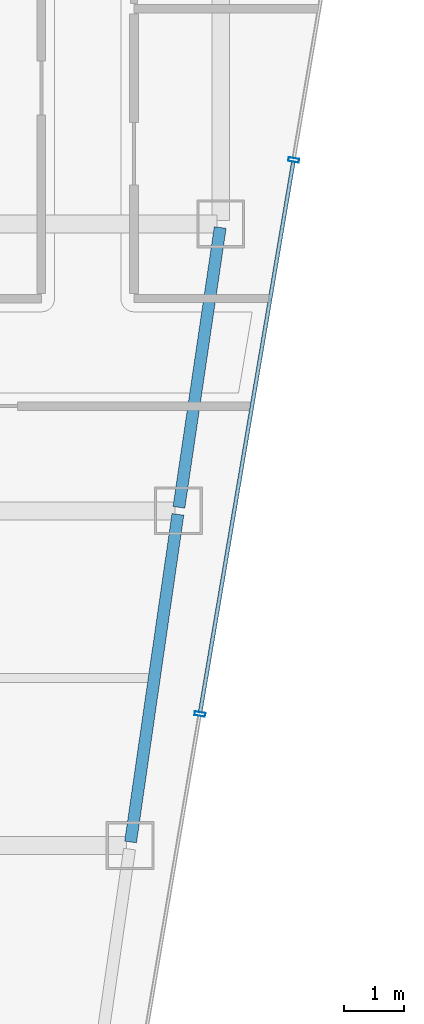
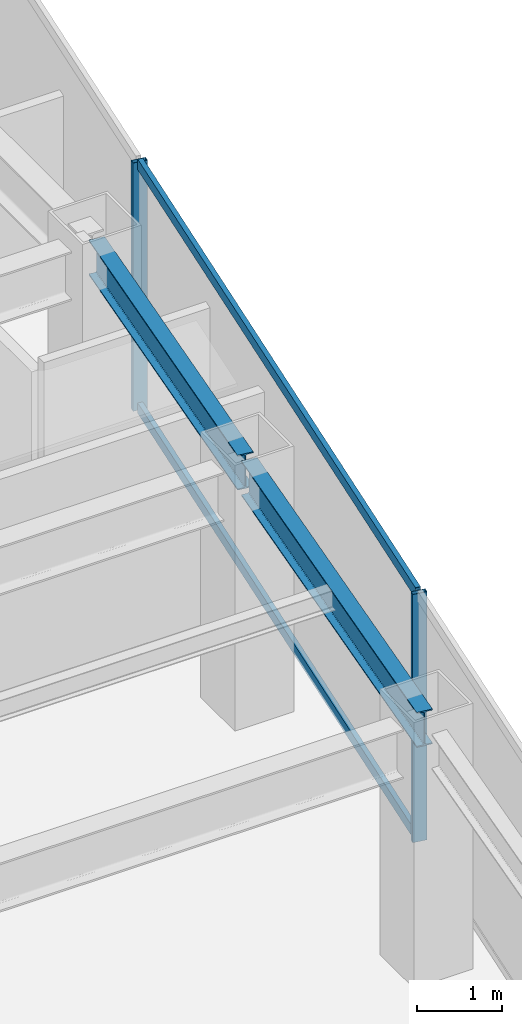
# One storey, part 22 of 36: 4 members, 2 beams, 1 element without a shape of its own.
"""IFC4 building model written with IfcOpenShell, lengths in metres."""

from ifc_helpers import new_model, si_unit, direction, frame, origin, origin_2d, place, context, subcontext, project, spatial, hollow_rectangle, i_section, extrude, material, material_profile, profile_set, type_object, element, aggregate, save


model = new_model("IFC4")

# Units and contexts
model_context = context("Model", 3, precision=1e-05, world=origin(), true_north=direction((0.0, 1.0)))
body_context = subcontext(model_context, "Body", "Model", "MODEL_VIEW")
ifc_project = project(units=[si_unit("LENGTHUNIT", "METRE"), si_unit("AREAUNIT", "SQUARE_METRE"), si_unit("VOLUMEUNIT", "CUBIC_METRE"), si_unit("PLANEANGLEUNIT", "RADIAN"), si_unit("MASSUNIT", "GRAM", prefix="KILO")], contexts=[model_context])

# Site, building, storey
site_placement = place(None, origin())
site = spatial("IfcSite", under=ifc_project, at=site_placement, CompositionType="ELEMENT")
building_placement = place(site_placement, origin())
building = spatial("IfcBuilding", under=site, at=building_placement, Name="Saevonmaru Cultural Tower", CompositionType="ELEMENT")
storey_placement = place(building_placement, frame((0.0, 0.0, 198.0)))
storey = spatial("IfcBuildingStorey", under=building, at=storey_placement, Name="L45", CompositionType="ELEMENT", Elevation=198.0)

# Beams
ifc_material_1 = material(Name="Steel SM355", Category="steel")
ifc_material_profile_1 = material_profile(ifc_material_1, i_section(OverallWidth=0.199951171875, OverallDepth=0.5, WebThickness=0.010009765625, FlangeThickness=0.01611328125, FilletRadius=0.02001953125, at=origin_2d()), Name="H-500x200x10x16")
ifc_profile_set_1 = profile_set([ifc_material_profile_1], Name="Steel SM355")
beam_type = type_object("IfcBeamType", Name="BM-SP-H500", PredefinedType="SPANDREL", material=ifc_profile_set_1)
beam_1_placement = place(storey_placement, frame((51.691650390625, 32.059326171875, 3.300048828125), z_axis=(0.142964121327, 0.989727871697, 0.0), x_axis=(-0.989727871697, 0.142964121327, 0.0)))
element("IfcBeam", 1, at=beam_1_placement, inside=storey, type_object=beam_type, Name="L45 East Splayed Spandrel 3", PredefinedType="SPANDREL", context=body_context, shape_type="SweptSolid", body=[
    extrude(i_section(OverallWidth=0.199951171875, OverallDepth=0.5, WebThickness=0.010009765625, FlangeThickness=0.01611328125, FilletRadius=0.02001953125, at=origin_2d()), origin(), (0.0, 0.0, 1.0), 5.5380859375),
])
beam_2_placement = place(storey_placement, frame((52.500732421875, 37.659423828125, 3.300048828125), z_axis=(0.145912860028, 0.989297446312, 0.0), x_axis=(-0.989297446312, 0.145912860028, 0.0)))
element("IfcBeam", 2, at=beam_2_placement, inside=storey, type_object=beam_type, Name="L45 East Splayed Spandrel 4", PredefinedType="SPANDREL", context=body_context, shape_type="SweptSolid", body=[
    extrude(i_section(OverallWidth=0.199951171875, OverallDepth=0.5, WebThickness=0.010009765625, FlangeThickness=0.01611328125, FilletRadius=0.02001953125, at=origin_2d()), origin(), (0.0, 0.0, 1.0), 4.731689453125),
])

# Curtain wall, members
ifc_material_2 = material(Name="Satin Bronze Anodised Aluminium", Category="aluminium")
curtain_wall_type = type_object("IfcCurtainWallType", Name="CW-TYP-B", PredefinedType="NOTDEFINED", material=ifc_material_2)
curtain_wall_placement = place(storey_placement, origin())
curtain_wall = element("IfcCurtainWall", 3, at=curtain_wall_placement, inside=storey, type_object=curtain_wall_type, Name="L45 Unitised Curtain Wall E8", PredefinedType="NOTDEFINED")
ifc_material_profile_2 = material_profile(ifc_material_2, hollow_rectangle(XDim=0.06494140625, YDim=0.179931640625, WallThickness=0.00390625, at=origin_2d()), Name="ALU-MULL-180x65x4")
ifc_profile_set_2 = profile_set([ifc_material_profile_2], Name="Satin Bronze Anodised Aluminium")
member_type_1 = type_object("IfcMemberType", Name="ML-CW-180x65", PredefinedType="MULLION", material=ifc_profile_set_2)
member_1_placement = place(storey_placement, frame((52.85107421875, 34.199951171875, 0.0), z_axis=(0.0, 0.0, 1.0), x_axis=(0.16692169721, 0.985970155228, 0.0)))
member_1 = element("IfcMember", 4, at=member_1_placement, type_object=member_type_1, Name="CW-TW-L45-E8 mullion 3", PredefinedType="MULLION", context=body_context, shape_type="SweptSolid", body=[
    extrude(hollow_rectangle(XDim=0.06494140625, YDim=0.179931640625, WallThickness=0.00390625, at=origin_2d()), origin(), (0.0, 0.0, 1.0), 3.550048828125),
])
member_2_placement = place(storey_placement, frame((54.420654296875, 43.470458984375, 0.0), z_axis=(0.0, 0.0, 1.0), x_axis=(0.16692169721, 0.985970155228, 0.0)))
member_2 = element("IfcMember", 5, at=member_2_placement, type_object=member_type_1, Name="CW-TW-L45-E8 mullion 4", PredefinedType="MULLION", context=body_context, shape_type="SweptSolid", body=[
    extrude(hollow_rectangle(XDim=0.06494140625, YDim=0.179931640625, WallThickness=0.00390625, at=origin_2d()), origin(), (0.0, 0.0, 1.0), 3.550048828125),
])
ifc_material_profile_3 = material_profile(ifc_material_2, hollow_rectangle(XDim=0.06494140625, YDim=0.14990234375, WallThickness=0.00390625, at=origin_2d()), Name="ALU-TRAN-150x65x4")
ifc_profile_set_3 = profile_set([ifc_material_profile_3], Name="Satin Bronze Anodised Aluminium")
member_type_2 = type_object("IfcMemberType", Name="TR-CW-150x65", PredefinedType="USERDEFINED", material=ifc_profile_set_3)
member_3_placement = place(storey_placement, frame((52.8564453125, 34.23193359375, 0.032470703125), z_axis=(0.166916960754, 0.985970957084, 0.0), x_axis=(-0.985970957084, 0.166916960754, 0.0)))
member_3 = element("IfcMember", 6, at=member_3_placement, type_object=member_type_2, Name="CW-TW-L45-E8 transom 3.1", ObjectType="TRANSOM", PredefinedType="USERDEFINED", context=body_context, shape_type="SweptSolid", body=[
    extrude(hollow_rectangle(XDim=0.06494140625, YDim=0.14990234375, WallThickness=0.00390625, at=origin_2d()), origin(), (0.0, 0.0, 1.0), 9.337646484375),
])
member_4_placement = place(storey_placement, frame((52.8564453125, 34.23193359375, 3.517578125), z_axis=(0.166916960754, 0.985970957084, 0.0), x_axis=(-0.985970957084, 0.166916960754, 0.0)))
member_4 = element("IfcMember", 7, at=member_4_placement, type_object=member_type_2, Name="CW-TW-L45-E8 transom 3.2", ObjectType="TRANSOM", PredefinedType="USERDEFINED", context=body_context, shape_type="SweptSolid", body=[
    extrude(hollow_rectangle(XDim=0.06494140625, YDim=0.14990234375, WallThickness=0.00390625, at=origin_2d()), origin(), (0.0, 0.0, 1.0), 9.337646484375),
])
aggregate(curtain_wall, [member_1, member_2, member_3, member_4])

save(model, "model.ifc")
